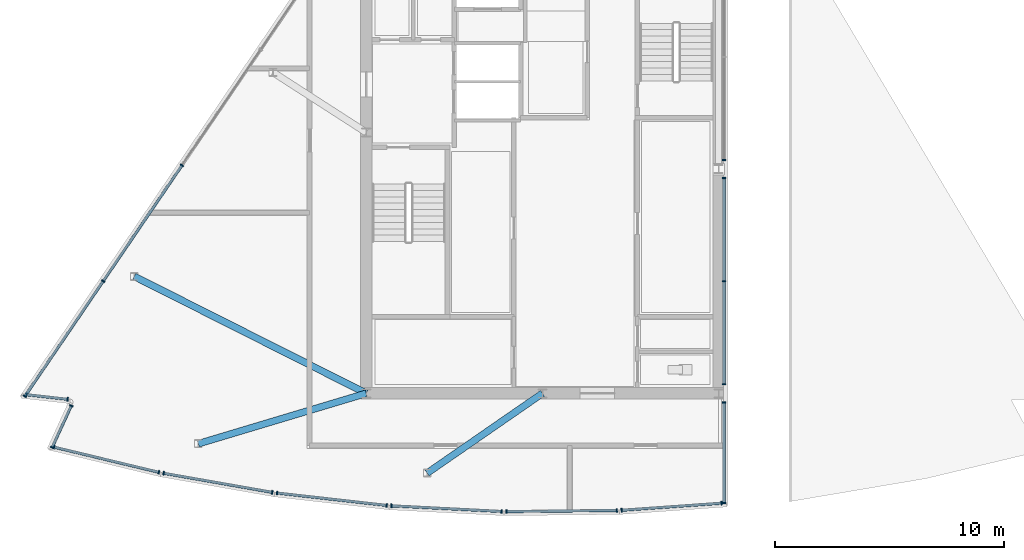
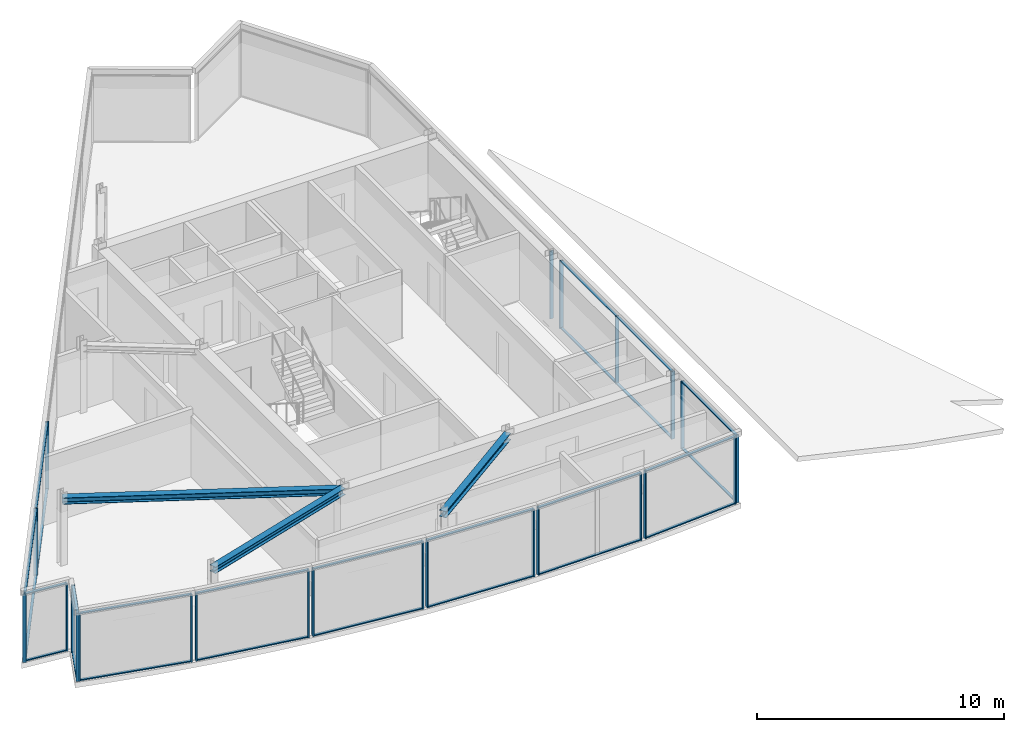
# One storey, part 2 of 10: 51 members, 3 beams, 12 elements without a shape of their own.
"""IFC4 building model written with IfcOpenShell, lengths in metres."""

from ifc_helpers import new_model, si_unit, direction, frame, origin, origin_2d, place, context, subcontext, project, spatial, rectangle, i_section, extrude, material, material_profile, profile_set, type_object, element, aggregate, save


model = new_model("IFC4")

# Units and contexts
model_context = context("Model", 3, precision=1e-05, world=origin(), true_north=direction((0.0, 1.0)))
body_context = subcontext(model_context, "Body", "Model", "MODEL_VIEW")
ifc_project = project(units=[si_unit("LENGTHUNIT", "METRE"), si_unit("AREAUNIT", "SQUARE_METRE"), si_unit("VOLUMEUNIT", "CUBIC_METRE"), si_unit("PLANEANGLEUNIT", "RADIAN"), si_unit("MASSUNIT", "GRAM", prefix="KILO")], contexts=[model_context])

# Site, building, storey
site_placement = place(None, origin())
site = spatial("IfcSite", under=ifc_project, at=site_placement, CompositionType="ELEMENT")
building_placement = place(site_placement, origin())
building = spatial("IfcBuilding", under=site, at=building_placement, Name="Savorim Split Tower", CompositionType="ELEMENT")
storey_placement = place(building_placement, frame((0.0, 0.0, 315.60009765625)))
storey = spatial("IfcBuildingStorey", under=building, at=storey_placement, Name="Crown L84 Plant", CompositionType="ELEMENT", Elevation=315.60009765625)

# Beams
ifc_material_1 = material(Name="Steel S355", Category="steel")
ifc_material_profile_1 = material_profile(ifc_material_1, i_section(OverallWidth=0.300048828125, OverallDepth=0.320068359375, WebThickness=0.011474609375, FlangeThickness=0.0205078125, FilletRadius=0.027099609375, at=origin_2d()), Name="HEB 320")
ifc_profile_set_1 = profile_set([ifc_material_profile_1], Name="Steel S355")
beam_type = type_object("IfcBeamType", Name="BM-PRI-HEB320", PredefinedType="BEAM", material=ifc_profile_set_1)
beam_1_placement = place(storey_placement, frame((-15.037109375, -11.6015625, 3.179931640625), z_axis=(0.957807862617, 0.287409287096, 0.0), x_axis=(-0.287409287096, 0.957807862617, 0.0)))
element("IfcBeam", 1, at=beam_1_placement, inside=storey, type_object=beam_type, Name="Crown L84 Plant West Crown Beam WBG-1", PredefinedType="BEAM", context=body_context, shape_type="SweptSolid", body=[
    extrude(i_section(OverallWidth=0.300048828125, OverallDepth=0.320068359375, WebThickness=0.011474609375, FlangeThickness=0.0205078125, FilletRadius=0.027099609375, at=origin_2d()), origin(), (0.0, 0.0, 1.0), 7.660400390625),
])
beam_2_placement = place(storey_placement, frame((-5.039794921875, -12.885009765625, 3.179931640625), z_axis=(0.82249616242, 0.568770659233, 0.0), x_axis=(-0.568770659233, 0.82249616242, 0.0)))
element("IfcBeam", 2, at=beam_2_placement, inside=storey, type_object=beam_type, Name="Crown L84 Plant West Crown Beam WBG-2", PredefinedType="BEAM", context=body_context, shape_type="SweptSolid", body=[
    extrude(i_section(OverallWidth=0.300048828125, OverallDepth=0.320068359375, WebThickness=0.011474609375, FlangeThickness=0.0205078125, FilletRadius=0.027099609375, at=origin_2d()), origin(), (0.0, 0.0, 1.0), 6.12744140625),
])
beam_3_placement = place(storey_placement, frame((-17.84033203125, -4.288818359375, 3.179931640625), z_axis=(0.892982084202, -0.450092209769, 0.0), x_axis=(0.450092209769, 0.892982084202, 0.0)))
element("IfcBeam", 3, at=beam_3_placement, inside=storey, type_object=beam_type, Name="Crown L84 Plant West Crown Beam WBG-3", PredefinedType="BEAM", context=body_context, shape_type="SweptSolid", body=[
    extrude(i_section(OverallWidth=0.300048828125, OverallDepth=0.320068359375, WebThickness=0.011474609375, FlangeThickness=0.0205078125, FilletRadius=0.027099609375, at=origin_2d()), origin(), (0.0, 0.0, 1.0), 11.355712890625),
])

# Curtain wall, members
ifc_material_2 = material(Name="Dark Ceramic-Fritted Insulated Glass", Category="glass")
curtain_wall_type = type_object("IfcCurtainWallType", Name="CW-CROWN-CREST", PredefinedType="NOTDEFINED", material=ifc_material_2)
curtain_wall_1_placement = place(storey_placement, origin())
curtain_wall_1 = element("IfcCurtainWall", 4, at=curtain_wall_1_placement, inside=storey, type_object=curtain_wall_type, Name="Crown L84 Plant Curtain Wall CW-Crown-L84-Plant-W1AS1", PredefinedType="NOTDEFINED")
ifc_material_3 = material(Name="Charcoal Anodised Aluminium", Category="aluminium")
ifc_material_profile_2 = material_profile(ifc_material_3, rectangle(XDim=0.159912109375, YDim=0.06005859375, at=origin_2d()), Name="ALU-M 160x60")
ifc_profile_set_2 = profile_set([ifc_material_profile_2], Name="Charcoal Anodised Aluminium")
member_type_1 = type_object("IfcMemberType", Name="CWM-160x60", PredefinedType="MULLION", material=ifc_profile_set_2)
member_1_placement = place(storey_placement, frame((7.929931640625, -14.195556640625, 0.0), z_axis=(0.0, 0.0, 1.0), x_axis=(-1.0, 0.0, 0.0)))
member_1 = element("IfcMember", 5, at=member_1_placement, type_object=member_type_1, Name="CW-07 mullion 1", PredefinedType="MULLION", context=body_context, shape_type="SweptSolid", body=[
    extrude(rectangle(XDim=0.159912109375, YDim=0.06005859375, at=origin_2d()), origin(), (0.0, 0.0, 1.0), 3.33984375),
])
member_2_placement = place(storey_placement, frame((7.929931640625, -9.7958984375, 0.0), z_axis=(0.0, 0.0, 1.0), x_axis=(-1.0, 0.0, 0.0)))
member_2 = element("IfcMember", 6, at=member_2_placement, type_object=member_type_1, Name="CW-07 mullion 2", PredefinedType="MULLION", context=body_context, shape_type="SweptSolid", body=[
    extrude(rectangle(XDim=0.159912109375, YDim=0.06005859375, at=origin_2d()), origin(), (0.0, 0.0, 1.0), 3.33984375),
])

curtain_wall_2_placement = place(storey_placement, origin())
curtain_wall_2 = element("IfcCurtainWall", 7, at=curtain_wall_2_placement, inside=storey, type_object=curtain_wall_type, Name="Crown L84 Plant Curtain Wall CW-Crown-L84-Plant-W1AS2", PredefinedType="NOTDEFINED")
member_3_placement = place(storey_placement, frame((7.929931640625, -9.00390625, 0.0), z_axis=(0.0, 0.0, 1.0), x_axis=(-1.0, 0.0, 0.0)))
member_3 = element("IfcMember", 8, at=member_3_placement, type_object=member_type_1, Name="CW-07 mullion 1", PredefinedType="MULLION", context=body_context, shape_type="SweptSolid", body=[
    extrude(rectangle(XDim=0.159912109375, YDim=0.06005859375, at=origin_2d()), origin(), (0.0, 0.0, 1.0), 3.33984375),
])
member_4_placement = place(storey_placement, frame((7.929931640625, -4.5, 0.0), z_axis=(0.0, 0.0, 1.0), x_axis=(-1.0, 0.0, 0.0)))
member_4 = element("IfcMember", 9, at=member_4_placement, type_object=member_type_1, Name="CW-07 mullion 2", PredefinedType="MULLION", context=body_context, shape_type="SweptSolid", body=[
    extrude(rectangle(XDim=0.159912109375, YDim=0.06005859375, at=origin_2d()), origin(), (0.0, 0.0, 1.0), 3.33984375),
])
member_5_placement = place(storey_placement, frame((7.929931640625, 0.00390625, 0.0), z_axis=(0.0, 0.0, 1.0), x_axis=(-1.0, 0.0, 0.0)))
member_5 = element("IfcMember", 10, at=member_5_placement, type_object=member_type_1, Name="CW-07 mullion 3", PredefinedType="MULLION", context=body_context, shape_type="SweptSolid", body=[
    extrude(rectangle(XDim=0.159912109375, YDim=0.06005859375, at=origin_2d()), origin(), (0.0, 0.0, 1.0), 3.33984375),
])

# Curtain wall, member
curtain_wall_3_placement = place(storey_placement, origin())
curtain_wall_3 = element("IfcCurtainWall", 11, at=curtain_wall_3_placement, inside=storey, type_object=curtain_wall_type, Name="Crown L84 Plant Curtain Wall CW-Crown-L84-Plant-W1AS3", PredefinedType="NOTDEFINED")
member_6_placement = place(storey_placement, frame((7.929931640625, 0.7958984375, 0.0), z_axis=(0.0, 0.0, 1.0), x_axis=(-1.0, 0.0, 0.0)))
member_6 = element("IfcMember", 12, at=member_6_placement, type_object=member_type_1, Name="CW-07 mullion 1", PredefinedType="MULLION", context=body_context, shape_type="SweptSolid", body=[
    extrude(rectangle(XDim=0.159912109375, YDim=0.06005859375, at=origin_2d()), origin(), (0.0, 0.0, 1.0), 3.33984375),
])
aggregate(curtain_wall_3, [member_6])

# Curtain wall, members
curtain_wall_4_placement = place(storey_placement, origin())
curtain_wall_4 = element("IfcCurtainWall", 13, at=curtain_wall_4_placement, inside=storey, type_object=curtain_wall_type, Name="Crown L84 Plant Curtain Wall CW-Crown-L84-Plant-W5A", PredefinedType="NOTDEFINED")
member_7_placement = place(storey_placement, frame((-15.753662109375, 0.56298828125, 0.0), z_axis=(0.0, 0.0, 1.0), x_axis=(0.826820045054, -0.56246654398, 0.0)))
member_7 = element("IfcMember", 14, at=member_7_placement, type_object=member_type_1, Name="CW-07 mullion 5", PredefinedType="MULLION", context=body_context, shape_type="SweptSolid", body=[
    extrude(rectangle(XDim=0.159912109375, YDim=0.06005859375, at=origin_2d()), origin(), (0.0, 0.0, 1.0), 3.33984375),
])
member_8_placement = place(storey_placement, frame((-19.1953125, -4.49609375, 0.0), z_axis=(0.0, 0.0, 1.0), x_axis=(0.826820045054, -0.56246654398, 0.0)))
member_8 = element("IfcMember", 15, at=member_8_placement, type_object=member_type_1, Name="CW-07 mullion 6", PredefinedType="MULLION", context=body_context, shape_type="SweptSolid", body=[
    extrude(rectangle(XDim=0.159912109375, YDim=0.06005859375, at=origin_2d()), origin(), (0.0, 0.0, 1.0), 3.33984375),
])
member_9_placement = place(storey_placement, frame((-22.6201171875, -9.5302734375, 0.0), z_axis=(0.0, 0.0, 1.0), x_axis=(0.826820045054, -0.56246654398, 0.0)))
member_9 = element("IfcMember", 16, at=member_9_placement, type_object=member_type_1, Name="CW-07 mullion 7", PredefinedType="MULLION", context=body_context, shape_type="SweptSolid", body=[
    extrude(rectangle(XDim=0.159912109375, YDim=0.06005859375, at=origin_2d()), origin(), (0.0, 0.0, 1.0), 3.33984375),
])

curtain_wall_5_placement = place(storey_placement, origin())
curtain_wall_5 = element("IfcCurtainWall", 17, at=curtain_wall_5_placement, inside=storey, type_object=curtain_wall_type, Name="Crown L84 Plant Curtain Wall CW-Crown-L84-Plant-W6A", PredefinedType="NOTDEFINED")
member_10_placement = place(storey_placement, frame((-22.55419921875, -9.45849609375, 0.0), z_axis=(0.0, 0.0, 1.0), x_axis=(0.111010867473, 0.993819192461, 0.0)))
member_10 = element("IfcMember", 18, at=member_10_placement, type_object=member_type_1, Name="CW-07 mullion 1", PredefinedType="MULLION", context=body_context, shape_type="SweptSolid", body=[
    extrude(rectangle(XDim=0.159912109375, YDim=0.06005859375, at=origin_2d()), origin(), (0.0, 0.0, 1.0), 3.33984375),
])
member_11_placement = place(storey_placement, frame((-20.749755859375, -9.659912109375, 0.0), z_axis=(0.0, 0.0, 1.0), x_axis=(0.111010867473, 0.993819192461, 0.0)))
member_11 = element("IfcMember", 19, at=member_11_placement, type_object=member_type_1, Name="CW-07 mullion 2", PredefinedType="MULLION", context=body_context, shape_type="SweptSolid", body=[
    extrude(rectangle(XDim=0.159912109375, YDim=0.06005859375, at=origin_2d()), origin(), (0.0, 0.0, 1.0), 3.33984375),
])

curtain_wall_6_placement = place(storey_placement, origin())
curtain_wall_6 = element("IfcCurtainWall", 20, at=curtain_wall_6_placement, inside=storey, type_object=curtain_wall_type, Name="Crown L84 Plant Curtain Wall CW-Crown-L84-Plant-W7A", PredefinedType="NOTDEFINED")
member_12_placement = place(storey_placement, frame((-20.5908203125, -9.94140625, 0.0), z_axis=(0.0, 0.0, 1.0), x_axis=(0.908679818708, -0.417493697045, 0.0)))
member_12 = element("IfcMember", 21, at=member_12_placement, type_object=member_type_1, Name="CW-07 mullion 1", PredefinedType="MULLION", context=body_context, shape_type="SweptSolid", body=[
    extrude(rectangle(XDim=0.159912109375, YDim=0.06005859375, at=origin_2d()), origin(), (0.0, 0.0, 1.0), 3.33984375),
])
member_13_placement = place(storey_placement, frame((-21.428955078125, -11.76611328125, 0.0), z_axis=(0.0, 0.0, 1.0), x_axis=(0.908679818708, -0.417493697045, 0.0)))
member_13 = element("IfcMember", 22, at=member_13_placement, type_object=member_type_1, Name="CW-07 mullion 2", PredefinedType="MULLION", context=body_context, shape_type="SweptSolid", body=[
    extrude(rectangle(XDim=0.159912109375, YDim=0.06005859375, at=origin_2d()), origin(), (0.0, 0.0, 1.0), 3.33984375),
])

curtain_wall_7_placement = place(storey_placement, origin())
curtain_wall_7 = element("IfcCurtainWall", 23, at=curtain_wall_7_placement, inside=storey, type_object=curtain_wall_type, Name="Crown L84 Plant Curtain Wall CW-Crown-L84-Plant-W8A", PredefinedType="NOTDEFINED")
member_14_placement = place(storey_placement, frame((-21.346923828125, -11.74951171875, 0.0), z_axis=(0.0, 0.0, 1.0), x_axis=(0.233160644267, 0.972438231439, 0.0)))
member_14 = element("IfcMember", 24, at=member_14_placement, type_object=member_type_1, Name="CW-07 mullion 1", PredefinedType="MULLION", context=body_context, shape_type="SweptSolid", body=[
    extrude(rectangle(XDim=0.159912109375, YDim=0.06005859375, at=origin_2d()), origin(), (0.0, 0.0, 1.0), 3.33984375),
])
member_15_placement = place(storey_placement, frame((-16.762451171875, -12.8486328125, 0.0), z_axis=(0.0, 0.0, 1.0), x_axis=(0.233160644267, 0.972438231439, 0.0)))
member_15 = element("IfcMember", 25, at=member_15_placement, type_object=member_type_1, Name="CW-07 mullion 2", PredefinedType="MULLION", context=body_context, shape_type="SweptSolid", body=[
    extrude(rectangle(XDim=0.159912109375, YDim=0.06005859375, at=origin_2d()), origin(), (0.0, 0.0, 1.0), 3.33984375),
])

curtain_wall_8_placement = place(storey_placement, origin())
curtain_wall_8 = element("IfcCurtainWall", 26, at=curtain_wall_8_placement, inside=storey, type_object=curtain_wall_type, Name="Crown L84 Plant Curtain Wall CW-Crown-L84-Plant-W9A", PredefinedType="NOTDEFINED")
member_16_placement = place(storey_placement, frame((-16.554443359375, -12.891845703125, 0.0), z_axis=(0.0, 0.0, 1.0), x_axis=(0.173056900697, 0.984911828095, 0.0)))
member_16 = element("IfcMember", 27, at=member_16_placement, type_object=member_type_1, Name="CW-07 mullion 1", PredefinedType="MULLION", context=body_context, shape_type="SweptSolid", body=[
    extrude(rectangle(XDim=0.159912109375, YDim=0.06005859375, at=origin_2d()), origin(), (0.0, 0.0, 1.0), 3.33984375),
])
member_17_placement = place(storey_placement, frame((-11.807861328125, -13.725830078125, 0.0), z_axis=(0.0, 0.0, 1.0), x_axis=(0.173056900697, 0.984911828095, 0.0)))
member_17 = element("IfcMember", 28, at=member_17_placement, type_object=member_type_1, Name="CW-07 mullion 2", PredefinedType="MULLION", context=body_context, shape_type="SweptSolid", body=[
    extrude(rectangle(XDim=0.159912109375, YDim=0.06005859375, at=origin_2d()), origin(), (0.0, 0.0, 1.0), 3.33984375),
])

curtain_wall_9_placement = place(storey_placement, origin())
curtain_wall_9 = element("IfcCurtainWall", 29, at=curtain_wall_9_placement, inside=storey, type_object=curtain_wall_type, Name="Crown L84 Plant Curtain Wall CW-Crown-L84-Plant-W10A", PredefinedType="NOTDEFINED")
member_18_placement = place(storey_placement, frame((-11.597412109375, -13.756103515625, 0.0), z_axis=(0.0, 0.0, 1.0), x_axis=(0.112329805852, 0.993670979106, 0.0)))
member_18 = element("IfcMember", 30, at=member_18_placement, type_object=member_type_1, Name="CW-07 mullion 1", PredefinedType="MULLION", context=body_context, shape_type="SweptSolid", body=[
    extrude(rectangle(XDim=0.159912109375, YDim=0.06005859375, at=origin_2d()), origin(), (0.0, 0.0, 1.0), 3.33984375),
])
member_19_placement = place(storey_placement, frame((-6.80859375, -14.297607421875, 0.0), z_axis=(0.0, 0.0, 1.0), x_axis=(0.112329805852, 0.993670979106, 0.0)))
member_19 = element("IfcMember", 31, at=member_19_placement, type_object=member_type_1, Name="CW-07 mullion 2", PredefinedType="MULLION", context=body_context, shape_type="SweptSolid", body=[
    extrude(rectangle(XDim=0.159912109375, YDim=0.06005859375, at=origin_2d()), origin(), (0.0, 0.0, 1.0), 3.33984375),
])

curtain_wall_10_placement = place(storey_placement, origin())
curtain_wall_10 = element("IfcCurtainWall", 32, at=curtain_wall_10_placement, inside=storey, type_object=curtain_wall_type, Name="Crown L84 Plant Curtain Wall CW-Crown-L84-Plant-W11A", PredefinedType="NOTDEFINED")
member_20_placement = place(storey_placement, frame((-6.5966796875, -14.31494140625, 0.0), z_axis=(0.0, 0.0, 1.0), x_axis=(0.051153954138, 0.998690779459, 0.0)))
member_20 = element("IfcMember", 33, at=member_20_placement, type_object=member_type_1, Name="CW-07 mullion 1", PredefinedType="MULLION", context=body_context, shape_type="SweptSolid", body=[
    extrude(rectangle(XDim=0.159912109375, YDim=0.06005859375, at=origin_2d()), origin(), (0.0, 0.0, 1.0), 3.33984375),
])
member_21_placement = place(storey_placement, frame((-1.78369140625, -14.561279296875, 0.0), z_axis=(0.0, 0.0, 1.0), x_axis=(0.051153954138, 0.998690779459, 0.0)))
member_21 = element("IfcMember", 34, at=member_21_placement, type_object=member_type_1, Name="CW-07 mullion 2", PredefinedType="MULLION", context=body_context, shape_type="SweptSolid", body=[
    extrude(rectangle(XDim=0.159912109375, YDim=0.06005859375, at=origin_2d()), origin(), (0.0, 0.0, 1.0), 3.33984375),
])

curtain_wall_11_placement = place(storey_placement, origin())
curtain_wall_11 = element("IfcCurtainWall", 35, at=curtain_wall_11_placement, inside=storey, type_object=curtain_wall_type, Name="Crown L84 Plant Curtain Wall CW-Crown-L84-Plant-W12A", PredefinedType="NOTDEFINED")
member_22_placement = place(storey_placement, frame((-1.571044921875, -14.565673828125, 0.0), z_axis=(0.0, 0.0, 1.0), x_axis=(-0.010226761181, 0.999947705311, 0.0)))
member_22 = element("IfcMember", 36, at=member_22_placement, type_object=member_type_1, Name="CW-07 mullion 1", PredefinedType="MULLION", context=body_context, shape_type="SweptSolid", body=[
    extrude(rectangle(XDim=0.159912109375, YDim=0.06005859375, at=origin_2d()), origin(), (0.0, 0.0, 1.0), 3.33984375),
])
member_23_placement = place(storey_placement, frame((3.248046875, -14.516357421875, 0.0), z_axis=(0.0, 0.0, 1.0), x_axis=(-0.010226761181, 0.999947705311, 0.0)))
member_23 = element("IfcMember", 37, at=member_23_placement, type_object=member_type_1, Name="CW-07 mullion 2", PredefinedType="MULLION", context=body_context, shape_type="SweptSolid", body=[
    extrude(rectangle(XDim=0.159912109375, YDim=0.06005859375, at=origin_2d()), origin(), (0.0, 0.0, 1.0), 3.33984375),
])

curtain_wall_12_placement = place(storey_placement, origin())
curtain_wall_12 = element("IfcCurtainWall", 38, at=curtain_wall_12_placement, inside=storey, type_object=curtain_wall_type, Name="Crown L84 Plant Curtain Wall CW-Crown-L84-Plant-W13A", PredefinedType="NOTDEFINED")
member_24_placement = place(storey_placement, frame((3.46044921875, -14.5078125, 0.0), z_axis=(0.0, 0.0, 1.0), x_axis=(-0.070108325395, 0.99753938404, 0.0)))
member_24 = element("IfcMember", 39, at=member_24_placement, type_object=member_type_1, Name="CW-07 mullion 1", PredefinedType="MULLION", context=body_context, shape_type="SweptSolid", body=[
    extrude(rectangle(XDim=0.159912109375, YDim=0.06005859375, at=origin_2d()), origin(), (0.0, 0.0, 1.0), 3.33984375),
])
member_25_placement = place(storey_placement, frame((7.8271484375, -14.200927734375, 0.0), z_axis=(0.0, 0.0, 1.0), x_axis=(-0.070108325395, 0.99753938404, 0.0)))
member_25 = element("IfcMember", 40, at=member_25_placement, type_object=member_type_1, Name="CW-07 mullion 2", PredefinedType="MULLION", context=body_context, shape_type="SweptSolid", body=[
    extrude(rectangle(XDim=0.159912109375, YDim=0.06005859375, at=origin_2d()), origin(), (0.0, 0.0, 1.0), 3.33984375),
])

# Member
ifc_material_profile_3 = material_profile(ifc_material_3, rectangle(XDim=0.1201171875, YDim=0.050048828125, at=origin_2d()), Name="ALU-T 120x50")
ifc_profile_set_3 = profile_set([ifc_material_profile_3], Name="Charcoal Anodised Aluminium")
member_type_2 = type_object("IfcMemberType", Name="CWT-120x50", PredefinedType="USERDEFINED", material=ifc_profile_set_3)
member_26_placement = place(storey_placement, frame((7.929931640625, -14.16552734375, 0.02490234375), z_axis=(0.0, 1.0, 0.0), x_axis=(-1.0, 0.0, 0.0)))
member_26 = element("IfcMember", 41, at=member_26_placement, type_object=member_type_2, Name="CW-07 transom 1.1", ObjectType="TRANSOM", PredefinedType="USERDEFINED", context=body_context, shape_type="SweptSolid", body=[
    extrude(rectangle(XDim=0.1201171875, YDim=0.050048828125, at=origin_2d()), origin(), (0.0, 0.0, 1.0), 4.339599609375),
])

member_27_placement = place(storey_placement, frame((7.929931640625, -14.16552734375, 3.31494140625), z_axis=(0.0, 1.0, 0.0), x_axis=(-1.0, 0.0, 0.0)))
member_27 = element("IfcMember", 42, at=member_27_placement, type_object=member_type_2, Name="CW-07 transom 1.2", ObjectType="TRANSOM", PredefinedType="USERDEFINED", context=body_context, shape_type="SweptSolid", body=[
    extrude(rectangle(XDim=0.1201171875, YDim=0.050048828125, at=origin_2d()), origin(), (0.0, 0.0, 1.0), 4.339599609375),
])

aggregate(curtain_wall_1, [member_1, member_2, member_26, member_27])

member_28_placement = place(storey_placement, frame((7.929931640625, -8.97412109375, 0.02490234375), z_axis=(0.0, 1.0, 0.0), x_axis=(-1.0, 0.0, 0.0)))
member_28 = element("IfcMember", 43, at=member_28_placement, type_object=member_type_2, Name="CW-07 transom 1.1", ObjectType="TRANSOM", PredefinedType="USERDEFINED", context=body_context, shape_type="SweptSolid", body=[
    extrude(rectangle(XDim=0.1201171875, YDim=0.050048828125, at=origin_2d()), origin(), (0.0, 0.0, 1.0), 4.444091796875),
])

member_29_placement = place(storey_placement, frame((7.929931640625, -8.97412109375, 3.31494140625), z_axis=(0.0, 1.0, 0.0), x_axis=(-1.0, 0.0, 0.0)))
member_29 = element("IfcMember", 44, at=member_29_placement, type_object=member_type_2, Name="CW-07 transom 1.2", ObjectType="TRANSOM", PredefinedType="USERDEFINED", context=body_context, shape_type="SweptSolid", body=[
    extrude(rectangle(XDim=0.1201171875, YDim=0.050048828125, at=origin_2d()), origin(), (0.0, 0.0, 1.0), 4.444091796875),
])

member_30_placement = place(storey_placement, frame((7.929931640625, -4.469970703125, 0.02490234375), z_axis=(0.0, 1.0, 0.0), x_axis=(-1.0, 0.0, 0.0)))
member_30 = element("IfcMember", 45, at=member_30_placement, type_object=member_type_2, Name="CW-07 transom 2.1", ObjectType="TRANSOM", PredefinedType="USERDEFINED", context=body_context, shape_type="SweptSolid", body=[
    extrude(rectangle(XDim=0.1201171875, YDim=0.050048828125, at=origin_2d()), origin(), (0.0, 0.0, 1.0), 4.444091796875),
])

member_31_placement = place(storey_placement, frame((7.929931640625, -4.469970703125, 3.31494140625), z_axis=(0.0, 1.0, 0.0), x_axis=(-1.0, 0.0, 0.0)))
member_31 = element("IfcMember", 46, at=member_31_placement, type_object=member_type_2, Name="CW-07 transom 2.2", ObjectType="TRANSOM", PredefinedType="USERDEFINED", context=body_context, shape_type="SweptSolid", body=[
    extrude(rectangle(XDim=0.1201171875, YDim=0.050048828125, at=origin_2d()), origin(), (0.0, 0.0, 1.0), 4.444091796875),
])

aggregate(curtain_wall_2, [member_3, member_4, member_5, member_28, member_29, member_30, member_31])

member_32_placement = place(storey_placement, frame((-15.7705078125, 0.538330078125, 0.02490234375), z_axis=(-0.562477538205, -0.82681256583, 0.0), x_axis=(0.82681256583, -0.562477538205, 0.0)))
member_32 = element("IfcMember", 47, at=member_32_placement, type_object=member_type_2, Name="CW-07 transom 5.1", ObjectType="TRANSOM", PredefinedType="USERDEFINED", context=body_context, shape_type="SweptSolid", body=[
    extrude(rectangle(XDim=0.1201171875, YDim=0.050048828125, at=origin_2d()), origin(), (0.0, 0.0, 1.0), 6.058837890625),
])

member_33_placement = place(storey_placement, frame((-15.7705078125, 0.538330078125, 3.31494140625), z_axis=(-0.562477538205, -0.82681256583, 0.0), x_axis=(0.82681256583, -0.562477538205, 0.0)))
member_33 = element("IfcMember", 48, at=member_33_placement, type_object=member_type_2, Name="CW-07 transom 5.2", ObjectType="TRANSOM", PredefinedType="USERDEFINED", context=body_context, shape_type="SweptSolid", body=[
    extrude(rectangle(XDim=0.1201171875, YDim=0.050048828125, at=origin_2d()), origin(), (0.0, 0.0, 1.0), 6.058837890625),
])

member_34_placement = place(storey_placement, frame((-19.212158203125, -4.52099609375, 0.02490234375), z_axis=(-0.562488341024, -0.826805216609, 0.0), x_axis=(0.826805216609, -0.562488341024, 0.0)))
member_34 = element("IfcMember", 49, at=member_34_placement, type_object=member_type_2, Name="CW-07 transom 6.1", ObjectType="TRANSOM", PredefinedType="USERDEFINED", context=body_context, shape_type="SweptSolid", body=[
    extrude(rectangle(XDim=0.1201171875, YDim=0.050048828125, at=origin_2d()), origin(), (0.0, 0.0, 1.0), 6.02880859375),
])

member_35_placement = place(storey_placement, frame((-19.212158203125, -4.52099609375, 3.31494140625), z_axis=(-0.562488341024, -0.826805216609, 0.0), x_axis=(0.826805216609, -0.562488341024, 0.0)))
member_35 = element("IfcMember", 50, at=member_35_placement, type_object=member_type_2, Name="CW-07 transom 6.2", ObjectType="TRANSOM", PredefinedType="USERDEFINED", context=body_context, shape_type="SweptSolid", body=[
    extrude(rectangle(XDim=0.1201171875, YDim=0.050048828125, at=origin_2d()), origin(), (0.0, 0.0, 1.0), 6.02880859375),
])

aggregate(curtain_wall_4, [member_7, member_8, member_9, member_32, member_33, member_34, member_35])

member_36_placement = place(storey_placement, frame((-22.524169921875, -9.461669921875, 0.02490234375), z_axis=(0.993807177423, -0.11111837878, 0.0), x_axis=(0.11111837878, 0.993807177423, 0.0)))
member_36 = element("IfcMember", 51, at=member_36_placement, type_object=member_type_2, Name="CW-07 transom 1.1", ObjectType="TRANSOM", PredefinedType="USERDEFINED", context=body_context, shape_type="SweptSolid", body=[
    extrude(rectangle(XDim=0.1201171875, YDim=0.050048828125, at=origin_2d()), origin(), (0.0, 0.0, 1.0), 1.755615234375),
])

member_37_placement = place(storey_placement, frame((-22.524169921875, -9.461669921875, 3.31494140625), z_axis=(0.993807177423, -0.11111837878, 0.0), x_axis=(0.11111837878, 0.993807177423, 0.0)))
member_37 = element("IfcMember", 52, at=member_37_placement, type_object=member_type_2, Name="CW-07 transom 1.2", ObjectType="TRANSOM", PredefinedType="USERDEFINED", context=body_context, shape_type="SweptSolid", body=[
    extrude(rectangle(XDim=0.1201171875, YDim=0.050048828125, at=origin_2d()), origin(), (0.0, 0.0, 1.0), 1.755615234375),
])

aggregate(curtain_wall_5, [member_10, member_11, member_36, member_37])

member_38_placement = place(storey_placement, frame((-20.603271484375, -9.96875, 0.02490234375), z_axis=(-0.417491780571, -0.908680699231, 0.0), x_axis=(0.908680699231, -0.417491780571, 0.0)))
member_38 = element("IfcMember", 53, at=member_38_placement, type_object=member_type_2, Name="CW-07 transom 1.1", ObjectType="TRANSOM", PredefinedType="USERDEFINED", context=body_context, shape_type="SweptSolid", body=[
    extrude(rectangle(XDim=0.1201171875, YDim=0.050048828125, at=origin_2d()), origin(), (0.0, 0.0, 1.0), 1.947998046875),
])

member_39_placement = place(storey_placement, frame((-20.603271484375, -9.96875, 3.31494140625), z_axis=(-0.417491780571, -0.908680699231, 0.0), x_axis=(0.908680699231, -0.417491780571, 0.0)))
member_39 = element("IfcMember", 54, at=member_39_placement, type_object=member_type_2, Name="CW-07 transom 1.2", ObjectType="TRANSOM", PredefinedType="USERDEFINED", context=body_context, shape_type="SweptSolid", body=[
    extrude(rectangle(XDim=0.1201171875, YDim=0.050048828125, at=origin_2d()), origin(), (0.0, 0.0, 1.0), 1.947998046875),
])

aggregate(curtain_wall_6, [member_12, member_13, member_38, member_39])

member_40_placement = place(storey_placement, frame((-21.31787109375, -11.756591796875, 0.02490234375), z_axis=(0.972439176152, -0.233156704137, 0.0), x_axis=(0.233156704137, 0.972439176152, 0.0)))
member_40 = element("IfcMember", 55, at=member_40_placement, type_object=member_type_2, Name="CW-07 transom 1.1", ObjectType="TRANSOM", PredefinedType="USERDEFINED", context=body_context, shape_type="SweptSolid", body=[
    extrude(rectangle(XDim=0.1201171875, YDim=0.050048828125, at=origin_2d()), origin(), (0.0, 0.0, 1.0), 4.654296875),
])

member_41_placement = place(storey_placement, frame((-21.31787109375, -11.756591796875, 3.31494140625), z_axis=(0.972439176152, -0.233156704137, 0.0), x_axis=(0.233156704137, 0.972439176152, 0.0)))
member_41 = element("IfcMember", 56, at=member_41_placement, type_object=member_type_2, Name="CW-07 transom 1.2", ObjectType="TRANSOM", PredefinedType="USERDEFINED", context=body_context, shape_type="SweptSolid", body=[
    extrude(rectangle(XDim=0.1201171875, YDim=0.050048828125, at=origin_2d()), origin(), (0.0, 0.0, 1.0), 4.654296875),
])

aggregate(curtain_wall_7, [member_14, member_15, member_40, member_41])

member_42_placement = place(storey_placement, frame((-16.52490234375, -12.89697265625, 0.02490234375), z_axis=(0.984908276817, -0.173077110728, 0.0), x_axis=(0.173077110728, 0.984908276817, 0.0)))
member_42 = element("IfcMember", 57, at=member_42_placement, type_object=member_type_2, Name="CW-07 transom 1.1", ObjectType="TRANSOM", PredefinedType="USERDEFINED", context=body_context, shape_type="SweptSolid", body=[
    extrude(rectangle(XDim=0.1201171875, YDim=0.050048828125, at=origin_2d()), origin(), (0.0, 0.0, 1.0), 4.75927734375),
])

member_43_placement = place(storey_placement, frame((-16.52490234375, -12.89697265625, 3.31494140625), z_axis=(0.984908276817, -0.173077110728, 0.0), x_axis=(0.173077110728, 0.984908276817, 0.0)))
member_43 = element("IfcMember", 58, at=member_43_placement, type_object=member_type_2, Name="CW-07 transom 1.2", ObjectType="TRANSOM", PredefinedType="USERDEFINED", context=body_context, shape_type="SweptSolid", body=[
    extrude(rectangle(XDim=0.1201171875, YDim=0.050048828125, at=origin_2d()), origin(), (0.0, 0.0, 1.0), 4.75927734375),
])

aggregate(curtain_wall_8, [member_16, member_17, member_42, member_43])

member_44_placement = place(storey_placement, frame((-11.567626953125, -13.759521484375, 0.02490234375), z_axis=(0.993669833681, -0.112339937833, 0.0), x_axis=(0.112339937833, 0.993669833681, 0.0)))
member_44 = element("IfcMember", 59, at=member_44_placement, type_object=member_type_2, Name="CW-07 transom 1.1", ObjectType="TRANSOM", PredefinedType="USERDEFINED", context=body_context, shape_type="SweptSolid", body=[
    extrude(rectangle(XDim=0.1201171875, YDim=0.050048828125, at=origin_2d()), origin(), (0.0, 0.0, 1.0), 4.75927734375),
])

member_45_placement = place(storey_placement, frame((-11.567626953125, -13.759521484375, 3.31494140625), z_axis=(0.993669833681, -0.112339937833, 0.0), x_axis=(0.112339937833, 0.993669833681, 0.0)))
member_45 = element("IfcMember", 60, at=member_45_placement, type_object=member_type_2, Name="CW-07 transom 1.2", ObjectType="TRANSOM", PredefinedType="USERDEFINED", context=body_context, shape_type="SweptSolid", body=[
    extrude(rectangle(XDim=0.1201171875, YDim=0.050048828125, at=origin_2d()), origin(), (0.0, 0.0, 1.0), 4.75927734375),
])

aggregate(curtain_wall_9, [member_18, member_19, member_44, member_45])

member_46_placement = place(storey_placement, frame((-6.56689453125, -14.31640625, 0.02490234375), z_axis=(0.998691360945, -0.051142600383, 0.0), x_axis=(0.051142600383, 0.998691360945, 0.0)))
member_46 = element("IfcMember", 61, at=member_46_placement, type_object=member_type_2, Name="CW-07 transom 1.1", ObjectType="TRANSOM", PredefinedType="USERDEFINED", context=body_context, shape_type="SweptSolid", body=[
    extrude(rectangle(XDim=0.1201171875, YDim=0.050048828125, at=origin_2d()), origin(), (0.0, 0.0, 1.0), 4.759521484375),
])

member_47_placement = place(storey_placement, frame((-6.56689453125, -14.31640625, 3.31494140625), z_axis=(0.998691360945, -0.051142600383, 0.0), x_axis=(0.051142600383, 0.998691360945, 0.0)))
member_47 = element("IfcMember", 62, at=member_47_placement, type_object=member_type_2, Name="CW-07 transom 1.2", ObjectType="TRANSOM", PredefinedType="USERDEFINED", context=body_context, shape_type="SweptSolid", body=[
    extrude(rectangle(XDim=0.1201171875, YDim=0.050048828125, at=origin_2d()), origin(), (0.0, 0.0, 1.0), 4.759521484375),
])

aggregate(curtain_wall_10, [member_20, member_21, member_46, member_47])

member_48_placement = place(storey_placement, frame((-1.541015625, -14.5654296875, 0.02490234375), z_axis=(0.999947369397, 0.010259553372, 0.0), x_axis=(-0.010259553372, 0.999947369397, 0.0)))
member_48 = element("IfcMember", 63, at=member_48_placement, type_object=member_type_2, Name="CW-07 transom 1.1", ObjectType="TRANSOM", PredefinedType="USERDEFINED", context=body_context, shape_type="SweptSolid", body=[
    extrude(rectangle(XDim=0.1201171875, YDim=0.050048828125, at=origin_2d()), origin(), (0.0, 0.0, 1.0), 4.75927734375),
])

member_49_placement = place(storey_placement, frame((-1.541015625, -14.5654296875, 3.31494140625), z_axis=(0.999947369397, 0.010259553372, 0.0), x_axis=(-0.010259553372, 0.999947369397, 0.0)))
member_49 = element("IfcMember", 64, at=member_49_placement, type_object=member_type_2, Name="CW-07 transom 1.2", ObjectType="TRANSOM", PredefinedType="USERDEFINED", context=body_context, shape_type="SweptSolid", body=[
    extrude(rectangle(XDim=0.1201171875, YDim=0.050048828125, at=origin_2d()), origin(), (0.0, 0.0, 1.0), 4.75927734375),
])

aggregate(curtain_wall_11, [member_22, member_23, member_48, member_49])

member_50_placement = place(storey_placement, frame((3.490478515625, -14.505859375, 0.02490234375), z_axis=(0.997538718501, 0.070117794396, 0.0), x_axis=(-0.070117794396, 0.997538718501, 0.0)))
member_50 = element("IfcMember", 65, at=member_50_placement, type_object=member_type_2, Name="CW-07 transom 1.1", ObjectType="TRANSOM", PredefinedType="USERDEFINED", context=body_context, shape_type="SweptSolid", body=[
    extrude(rectangle(XDim=0.1201171875, YDim=0.050048828125, at=origin_2d()), origin(), (0.0, 0.0, 1.0), 4.317626953125),
])

member_51_placement = place(storey_placement, frame((3.490478515625, -14.505859375, 3.31494140625), z_axis=(0.997538718501, 0.070117794396, 0.0), x_axis=(-0.070117794396, 0.997538718501, 0.0)))
member_51 = element("IfcMember", 66, at=member_51_placement, type_object=member_type_2, Name="CW-07 transom 1.2", ObjectType="TRANSOM", PredefinedType="USERDEFINED", context=body_context, shape_type="SweptSolid", body=[
    extrude(rectangle(XDim=0.1201171875, YDim=0.050048828125, at=origin_2d()), origin(), (0.0, 0.0, 1.0), 4.317626953125),
])

aggregate(curtain_wall_12, [member_24, member_25, member_50, member_51])

save(model, "model.ifc")
